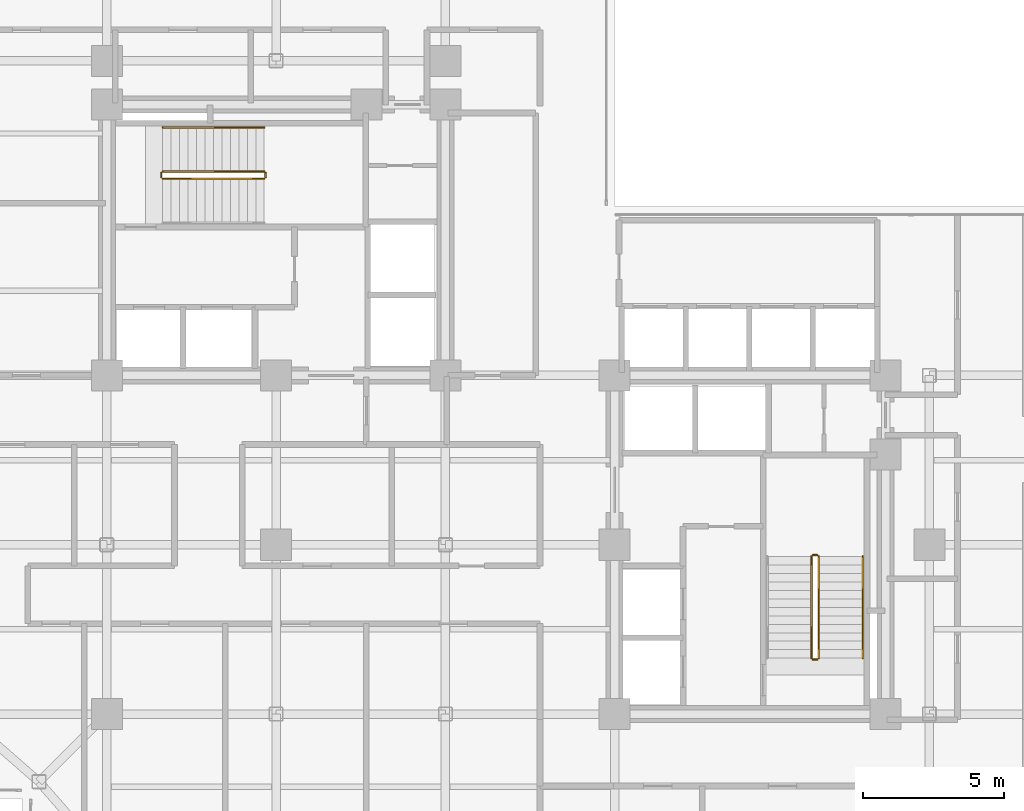
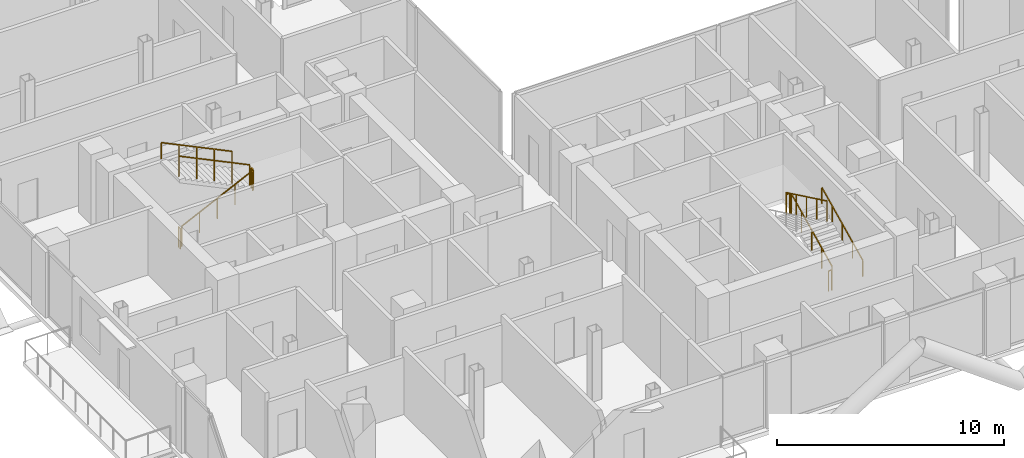
# One storey, part 24 of 24: 10 railings.
"""IFC4 building model written with IfcOpenShell, lengths in metres."""

from ifc_helpers import new_model, si_unit, direction, frame, origin, origin_2d, place, context, subcontext, project, spatial, rectangle, extrude, material, type_object, element, save


model = new_model("IFC4")

# Units and contexts
model_context = context("Model", 3, precision=1e-05, world=origin(), true_north=direction((0.0, 1.0)))
body_context = subcontext(model_context, "Body", "Model", "MODEL_VIEW")
ifc_project = project(units=[si_unit("LENGTHUNIT", "METRE"), si_unit("AREAUNIT", "SQUARE_METRE"), si_unit("VOLUMEUNIT", "CUBIC_METRE"), si_unit("PLANEANGLEUNIT", "RADIAN"), si_unit("MASSUNIT", "GRAM", prefix="KILO"), si_unit("THERMODYNAMICTEMPERATUREUNIT", "KELVIN"), si_unit("POWERUNIT", "WATT")], contexts=[model_context])

# Site, building, storey
site_placement = place(None, origin())
site = spatial("IfcSite", under=ifc_project, at=site_placement, CompositionType="ELEMENT")
building_placement = place(site_placement, origin())
building = spatial("IfcBuilding", under=site, at=building_placement, Name="Svarakhadi Broadcast Tower", CompositionType="ELEMENT")
storey_placement = place(building_placement, frame((0.0, 0.0, 115.64990234375)))
storey = spatial("IfcBuildingStorey", under=building, at=storey_placement, Name="L27", CompositionType="ELEMENT", Elevation=115.64990234375)

# Railings
ifc_material = material(Name="Anodised Bronze Aluminium AA 6063-T6", Category="aluminium")
railing_type_1 = type_object("IfcRailingType", Name="Guard_Stair_GR01", PredefinedType="GUARDRAIL", material=ifc_material)
railing_1_placement = place(storey_placement, frame((7.97998046875, 24.969970703125, 0.144287109375)))
element("IfcRailing", 1, at=railing_1_placement, inside=storey, type_object=railing_type_1, Name="L27 ST-01 stair guard 1", PredefinedType="GUARDRAIL", context=body_context, shape_type="SweptSolid", body=[
    extrude(rectangle(XDim=0.048095703125, YDim=0.048095703125, at=origin_2d()), frame((0.0, 0.0, 1.09619140625), z_axis=(0.901262522062, 0.0, 0.433273431364), x_axis=(0.0, 1.0, 0.0)), (0.0, 0.0, 1.0), 3.994384765625),
    extrude(rectangle(XDim=0.0419921875, YDim=0.0419921875, at=origin_2d()), origin(), (0.0, 0.0, 1.0), 1.072021484375),
    extrude(rectangle(XDim=0.0419921875, YDim=0.0419921875, at=origin_2d()), frame((0.89990234375, 0.0, 0.4326171875)), (0.0, 0.0, 1.0), 1.072021484375),
    extrude(rectangle(XDim=0.0419921875, YDim=0.0419921875, at=origin_2d()), frame((1.800048828125, 0.0, 0.865234375)), (0.0, 0.0, 1.0), 1.072021484375),
    extrude(rectangle(XDim=0.0419921875, YDim=0.0419921875, at=origin_2d()), frame((2.7001953125, 0.0, 1.298095703125)), (0.0, 0.0, 1.0), 1.072021484375),
    extrude(rectangle(XDim=0.0419921875, YDim=0.0419921875, at=origin_2d()), frame((3.60009765625, 0.0, 1.730712890625)), (0.0, 0.0, 1.0), 1.072021484375),
])
railing_2_placement = place(storey_placement, frame((11.6298828125, 25.02001953125, 1.875)))
element("IfcRailing", 2, at=railing_2_placement, inside=storey, type_object=railing_type_1, Name="L27 ST-01 stair guard 2", PredefinedType="GUARDRAIL", context=body_context, shape_type="SweptSolid", body=[
    extrude(rectangle(XDim=0.048095703125, YDim=0.048095703125, at=origin_2d()), frame((0.0, 0.0, 1.09619140625), z_axis=(0.0, 1.0, 0.0), x_axis=(-1.0, 0.0, 0.0)), (0.0, 0.0, 1.0), 0.159912109375),
    extrude(rectangle(XDim=0.0419921875, YDim=0.0419921875, at=origin_2d()), origin(), (0.0, 0.0, 1.0), 1.072021484375),
    extrude(rectangle(XDim=0.0419921875, YDim=0.0419921875, at=origin_2d()), frame((0.0, 0.159912109375, 0.0)), (0.0, 0.0, 1.0), 1.072021484375),
])
railing_3_placement = place(storey_placement, frame((11.580078125, 25.22998046875, 2.019287109375)))
element("IfcRailing", 3, at=railing_3_placement, inside=storey, type_object=railing_type_1, Name="L27 ST-01 stair guard 3", PredefinedType="GUARDRAIL", context=body_context, shape_type="SweptSolid", body=[
    extrude(rectangle(XDim=0.048095703125, YDim=0.048095703125, at=origin_2d()), frame((0.0, 0.0, 1.09619140625), z_axis=(-0.901262522062, 0.0, 0.433273431364), x_axis=(0.0, -1.0, 0.0)), (0.0, 0.0, 1.0), 3.994384765625),
    extrude(rectangle(XDim=0.0419921875, YDim=0.0419921875, at=origin_2d()), origin(), (0.0, 0.0, 1.0), 1.072021484375),
    extrude(rectangle(XDim=0.0419921875, YDim=0.0419921875, at=origin_2d()), frame((-0.89990234375, 0.0, 0.4326171875)), (0.0, 0.0, 1.0), 1.072021484375),
    extrude(rectangle(XDim=0.0419921875, YDim=0.0419921875, at=origin_2d()), frame((-1.800048828125, 0.0, 0.865234375)), (0.0, 0.0, 1.0), 1.072021484375),
    extrude(rectangle(XDim=0.0419921875, YDim=0.0419921875, at=origin_2d()), frame((-2.7001953125, 0.0, 1.298095703125)), (0.0, 0.0, 1.0), 1.072021484375),
    extrude(rectangle(XDim=0.0419921875, YDim=0.0419921875, at=origin_2d()), frame((-3.60009765625, 0.0, 1.730712890625)), (0.0, 0.0, 1.0), 1.072021484375),
])
railing_4_placement = place(storey_placement, frame((7.929931640625, 25.02001953125, 0.0)))
element("IfcRailing", 4, at=railing_4_placement, inside=storey, type_object=railing_type_1, Name="L27 ST-01 stair guard 4", PredefinedType="GUARDRAIL", context=body_context, shape_type="SweptSolid", body=[
    extrude(rectangle(XDim=0.048095703125, YDim=0.048095703125, at=origin_2d()), frame((0.0, 0.0, 1.09619140625), z_axis=(0.0, 1.0, 0.0), x_axis=(-1.0, 0.0, 0.0)), (0.0, 0.0, 1.0), 0.159912109375),
    extrude(rectangle(XDim=0.0419921875, YDim=0.0419921875, at=origin_2d()), origin(), (0.0, 0.0, 1.0), 1.072021484375),
    extrude(rectangle(XDim=0.0419921875, YDim=0.0419921875, at=origin_2d()), frame((0.0, 0.159912109375, 0.0)), (0.0, 0.0, 1.0), 1.072021484375),
])
railing_5_placement = place(storey_placement, frame((31.22998046875, 7.97998046875, 0.144287109375)))
element("IfcRailing", 5, at=railing_5_placement, inside=storey, type_object=railing_type_1, Name="L27 ST-02 stair guard 1", PredefinedType="GUARDRAIL", context=body_context, shape_type="SweptSolid", body=[
    extrude(rectangle(XDim=0.048095703125, YDim=0.048095703125, at=origin_2d()), frame((0.0, 0.0, 1.09619140625), z_axis=(0.0, 0.901262522062, 0.433273431364), x_axis=(-1.0, 0.0, 0.0)), (0.0, 0.0, 1.0), 3.994384765625),
    extrude(rectangle(XDim=0.0419921875, YDim=0.0419921875, at=origin_2d()), origin(), (0.0, 0.0, 1.0), 1.072021484375),
    extrude(rectangle(XDim=0.0419921875, YDim=0.0419921875, at=origin_2d()), frame((0.0, 0.89990234375, 0.4326171875)), (0.0, 0.0, 1.0), 1.072021484375),
    extrude(rectangle(XDim=0.0419921875, YDim=0.0419921875, at=origin_2d()), frame((0.0, 1.800048828125, 0.865234375)), (0.0, 0.0, 1.0), 1.072021484375),
    extrude(rectangle(XDim=0.0419921875, YDim=0.0419921875, at=origin_2d()), frame((0.0, 2.7001953125, 1.298095703125)), (0.0, 0.0, 1.0), 1.072021484375),
    extrude(rectangle(XDim=0.0419921875, YDim=0.0419921875, at=origin_2d()), frame((0.0, 3.60009765625, 1.730712890625)), (0.0, 0.0, 1.0), 1.072021484375),
])
railing_6_placement = place(storey_placement, frame((31.179931640625, 11.6298828125, 1.875)))
element("IfcRailing", 6, at=railing_6_placement, inside=storey, type_object=railing_type_1, Name="L27 ST-02 stair guard 2", PredefinedType="GUARDRAIL", context=body_context, shape_type="SweptSolid", body=[
    extrude(rectangle(XDim=0.048095703125, YDim=0.048095703125, at=origin_2d()), frame((0.0, 0.0, 1.09619140625), z_axis=(-1.0, 0.0, 0.0), x_axis=(0.0, -1.0, 0.0)), (0.0, 0.0, 1.0), 0.159912109375),
    extrude(rectangle(XDim=0.0419921875, YDim=0.0419921875, at=origin_2d()), origin(), (0.0, 0.0, 1.0), 1.072021484375),
    extrude(rectangle(XDim=0.0419921875, YDim=0.0419921875, at=origin_2d()), frame((-0.159912109375, 0.0, 0.0)), (0.0, 0.0, 1.0), 1.072021484375),
])
railing_7_placement = place(storey_placement, frame((30.969970703125, 11.580078125, 2.019287109375)))
element("IfcRailing", 7, at=railing_7_placement, inside=storey, type_object=railing_type_1, Name="L27 ST-02 stair guard 3", PredefinedType="GUARDRAIL", context=body_context, shape_type="SweptSolid", body=[
    extrude(rectangle(XDim=0.048095703125, YDim=0.048095703125, at=origin_2d()), frame((0.0, 0.0, 1.09619140625), z_axis=(0.0, -0.901262522062, 0.433273431364), x_axis=(1.0, 0.0, 0.0)), (0.0, 0.0, 1.0), 3.994384765625),
    extrude(rectangle(XDim=0.0419921875, YDim=0.0419921875, at=origin_2d()), origin(), (0.0, 0.0, 1.0), 1.072021484375),
    extrude(rectangle(XDim=0.0419921875, YDim=0.0419921875, at=origin_2d()), frame((0.0, -0.89990234375, 0.4326171875)), (0.0, 0.0, 1.0), 1.072021484375),
    extrude(rectangle(XDim=0.0419921875, YDim=0.0419921875, at=origin_2d()), frame((0.0, -1.800048828125, 0.865234375)), (0.0, 0.0, 1.0), 1.072021484375),
    extrude(rectangle(XDim=0.0419921875, YDim=0.0419921875, at=origin_2d()), frame((0.0, -2.7001953125, 1.298095703125)), (0.0, 0.0, 1.0), 1.072021484375),
    extrude(rectangle(XDim=0.0419921875, YDim=0.0419921875, at=origin_2d()), frame((0.0, -3.60009765625, 1.730712890625)), (0.0, 0.0, 1.0), 1.072021484375),
])
railing_8_placement = place(storey_placement, frame((31.179931640625, 7.929931640625, 0.0)))
element("IfcRailing", 8, at=railing_8_placement, inside=storey, type_object=railing_type_1, Name="L27 ST-02 stair guard 4", PredefinedType="GUARDRAIL", context=body_context, shape_type="SweptSolid", body=[
    extrude(rectangle(XDim=0.048095703125, YDim=0.048095703125, at=origin_2d()), frame((0.0, 0.0, 1.09619140625), z_axis=(-1.0, 0.0, 0.0), x_axis=(0.0, -1.0, 0.0)), (0.0, 0.0, 1.0), 0.159912109375),
    extrude(rectangle(XDim=0.0419921875, YDim=0.0419921875, at=origin_2d()), origin(), (0.0, 0.0, 1.0), 1.072021484375),
    extrude(rectangle(XDim=0.0419921875, YDim=0.0419921875, at=origin_2d()), frame((-0.159912109375, 0.0, 0.0)), (0.0, 0.0, 1.0), 1.072021484375),
])
railing_type_2 = type_object("IfcRailingType", Name="Handrail_Stair_HR01", PredefinedType="HANDRAIL", material=ifc_material)
railing_9_placement = place(storey_placement, frame((11.580078125, 26.7900390625, 2.019287109375)))
element("IfcRailing", 9, at=railing_9_placement, inside=storey, type_object=railing_type_2, Name="L27 ST-01 stair handrail 2", PredefinedType="HANDRAIL", context=body_context, shape_type="SweptSolid", body=[
    extrude(rectangle(XDim=0.048095703125, YDim=0.048095703125, at=origin_2d()), frame((0.0, 0.0, 0.8759765625), z_axis=(-0.901262522062, 0.0, 0.433273431364), x_axis=(0.0, -1.0, 0.0)), (0.0, 0.0, 1.0), 3.994384765625),
    extrude(rectangle(XDim=0.0419921875, YDim=0.0419921875, at=origin_2d()), origin(), (0.0, 0.0, 1.0), 0.851806640625),
    extrude(rectangle(XDim=0.0419921875, YDim=0.0419921875, at=origin_2d()), frame((-0.89990234375, 0.0, 0.4326171875)), (0.0, 0.0, 1.0), 0.851806640625),
    extrude(rectangle(XDim=0.0419921875, YDim=0.0419921875, at=origin_2d()), frame((-1.800048828125, 0.0, 0.865234375)), (0.0, 0.0, 1.0), 0.851806640625),
    extrude(rectangle(XDim=0.0419921875, YDim=0.0419921875, at=origin_2d()), frame((-2.7001953125, 0.0, 1.298095703125)), (0.0, 0.0, 1.0), 0.851806640625),
    extrude(rectangle(XDim=0.0419921875, YDim=0.0419921875, at=origin_2d()), frame((-3.60009765625, 0.0, 1.730712890625)), (0.0, 0.0, 1.0), 0.851806640625),
])
railing_10_placement = place(storey_placement, frame((32.7900390625, 7.97998046875, 0.144287109375)))
element("IfcRailing", 10, at=railing_10_placement, inside=storey, type_object=railing_type_2, Name="L27 ST-02 stair handrail 1", PredefinedType="HANDRAIL", context=body_context, shape_type="SweptSolid", body=[
    extrude(rectangle(XDim=0.048095703125, YDim=0.048095703125, at=origin_2d()), frame((0.0, 0.0, 0.8759765625), z_axis=(0.0, 0.901262522062, 0.433273431364), x_axis=(-1.0, 0.0, 0.0)), (0.0, 0.0, 1.0), 3.994384765625),
    extrude(rectangle(XDim=0.0419921875, YDim=0.0419921875, at=origin_2d()), origin(), (0.0, 0.0, 1.0), 0.851806640625),
    extrude(rectangle(XDim=0.0419921875, YDim=0.0419921875, at=origin_2d()), frame((0.0, 0.89990234375, 0.4326171875)), (0.0, 0.0, 1.0), 0.851806640625),
    extrude(rectangle(XDim=0.0419921875, YDim=0.0419921875, at=origin_2d()), frame((0.0, 1.800048828125, 0.865234375)), (0.0, 0.0, 1.0), 0.851806640625),
    extrude(rectangle(XDim=0.0419921875, YDim=0.0419921875, at=origin_2d()), frame((0.0, 2.7001953125, 1.298095703125)), (0.0, 0.0, 1.0), 0.851806640625),
    extrude(rectangle(XDim=0.0419921875, YDim=0.0419921875, at=origin_2d()), frame((0.0, 3.60009765625, 1.730712890625)), (0.0, 0.0, 1.0), 0.851806640625),
])

save(model, "model.ifc")
